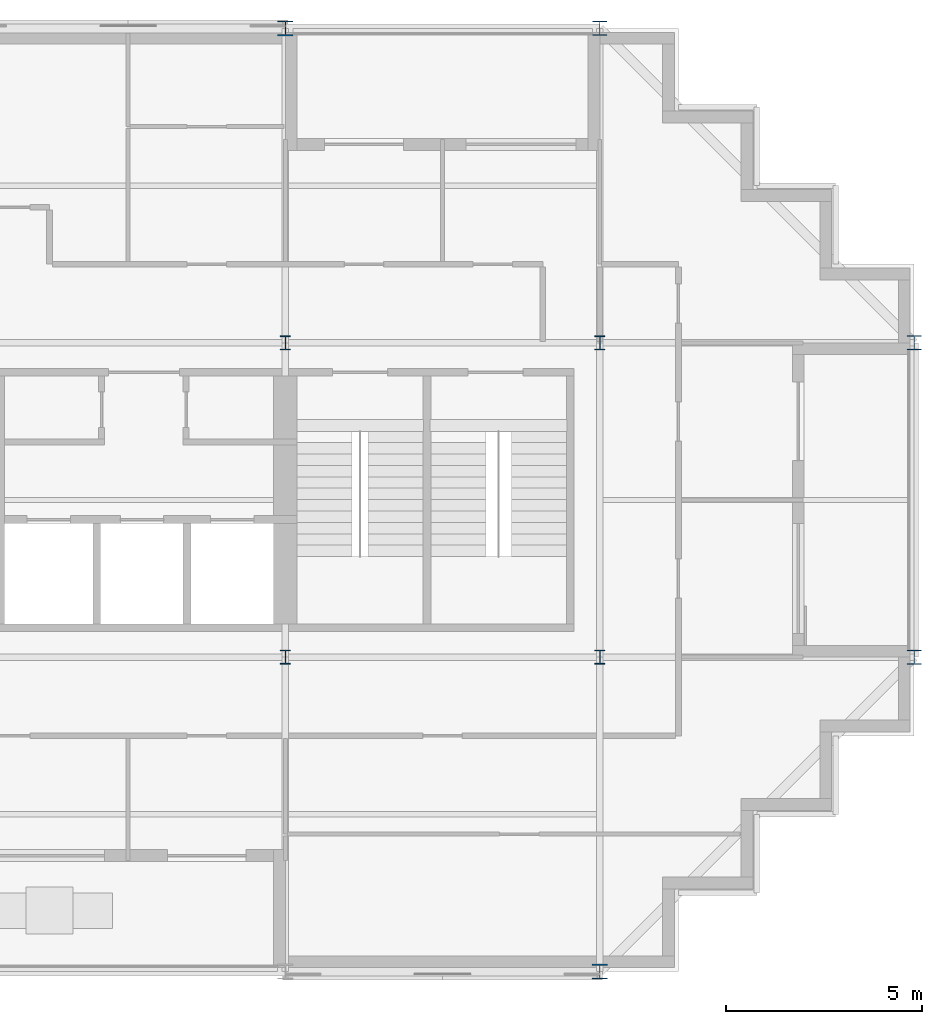
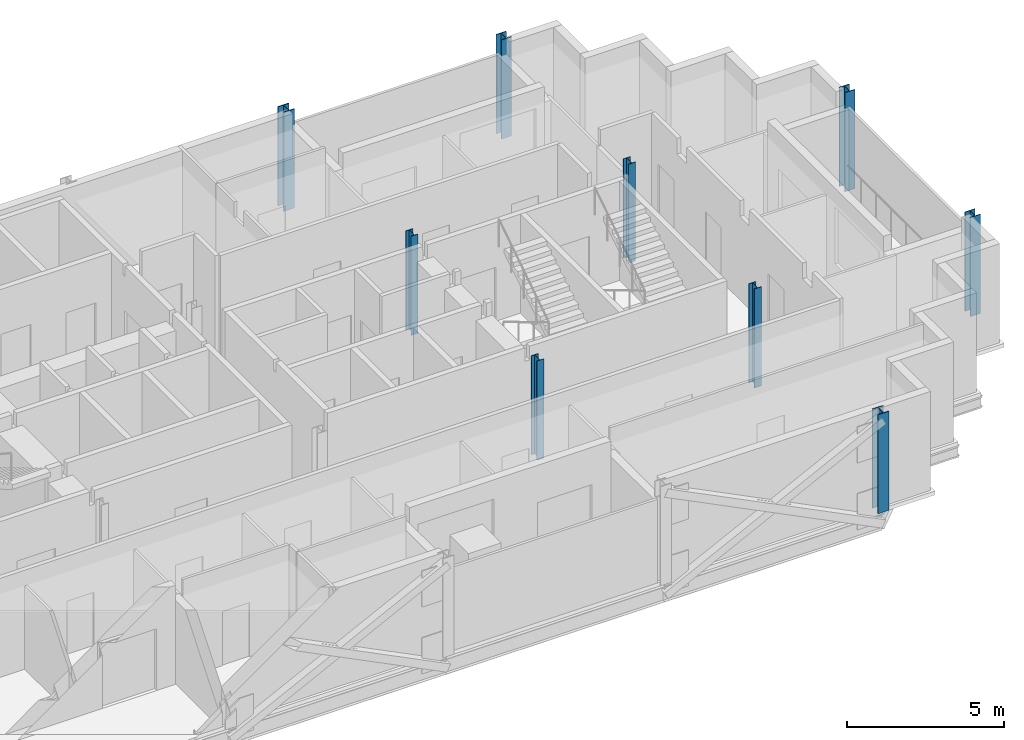
# One storey, part 2 of 10: 9 columns.
"""IFC4 building model written with IfcOpenShell, lengths in metres."""

from ifc_helpers import new_model, si_unit, direction, frame, origin, origin_2d, place, context, subcontext, project, spatial, i_section, extrude, material, material_profile, profile_set, type_object, element, save


model = new_model("IFC4")

# Units and contexts
model_context = context("Model", 3, precision=1e-05, world=origin(), true_north=direction((0.0, 1.0)))
body_context = subcontext(model_context, "Body", "Model", "MODEL_VIEW")
ifc_project = project(units=[si_unit("LENGTHUNIT", "METRE"), si_unit("AREAUNIT", "SQUARE_METRE"), si_unit("VOLUMEUNIT", "CUBIC_METRE"), si_unit("PLANEANGLEUNIT", "RADIAN"), si_unit("MASSUNIT", "GRAM", prefix="KILO")], contexts=[model_context])

# Site, building, storey
site_placement = place(None, origin())
site = spatial("IfcSite", under=ifc_project, at=site_placement, CompositionType="ELEMENT")
building_placement = place(site_placement, origin())
building = spatial("IfcBuilding", under=site, at=building_placement, Name="Immortelle Media Tower", CompositionType="ELEMENT")
storey_placement = place(building_placement, frame((0.0, 0.0, 275.0)))
storey = spatial("IfcBuildingStorey", under=building, at=storey_placement, Name="L60", CompositionType="ELEMENT", Elevation=275.0)

# Columns
ifc_material = material(Name="Steel ASTM A992 Gr 50", Category="steel")
ifc_material_profile_1 = material_profile(ifc_material, i_section(OverallWidth=0.373046875, OverallDepth=0.367919921875, WebThickness=0.014892578125, FlangeThickness=0.02392578125, at=origin_2d()), Name="W14x120")
ifc_profile_set_1 = profile_set([ifc_material_profile_1], Name="Steel ASTM A992 Gr 50")
column_type_1 = type_object("IfcColumnType", Name="W14x120 column", PredefinedType="COLUMN", material=ifc_profile_set_1)
for number, where, z_axis, x_axis, name in (
    (1, (40.0, 24.0, 0.0), (0.0, 0.0, 1.0), (1.0, 0.0, 0.0), "Column 6/D"),
    (2, (48.0, 8.0, 0.0), (0.0, 0.0, 1.0), (1.0, 0.0, 0.0), "Column 7/B"),
    (3, (48.0, 16.0, 0.0), (0.0, 0.0, 1.0), (1.0, 0.0, 0.0), "Column 7/C"),
):
    element("IfcColumn", number, at=place(storey_placement, frame(where, z_axis=z_axis, x_axis=x_axis)), inside=storey, type_object=column_type_1, Name=name, PredefinedType="COLUMN", context=body_context, shape_type="SweptSolid", body=[
        extrude(i_section(OverallWidth=0.373046875, OverallDepth=0.367919921875, WebThickness=0.014892578125, FlangeThickness=0.02392578125, at=origin_2d()), origin(), (0.0, 0.0, 1.0), 3.85009765625),
    ])
ifc_material_profile_2 = material_profile(ifc_material, i_section(OverallWidth=0.39892578125, OverallDepth=0.385986328125, WebThickness=0.02099609375, FlangeThickness=0.032958984375, at=origin_2d()), Name="W14x176")
ifc_profile_set_2 = profile_set([ifc_material_profile_2], Name="Steel ASTM A992 Gr 50")
column_type_2 = type_object("IfcColumnType", Name="W14x176 column", PredefinedType="COLUMN", material=ifc_profile_set_2)
for number, where, z_axis, x_axis, name in (
    (4, (32.0, 24.0, 0.0), (0.0, 0.0, 1.0), (1.0, 0.0, 0.0), "Column 5/D"),
    (5, (40.0, 0.0, 0.0), (0.0, 0.0, 1.0), (1.0, 0.0, 0.0), "Column 6/A"),
):
    element("IfcColumn", number, at=place(storey_placement, frame(where, z_axis=z_axis, x_axis=x_axis)), inside=storey, type_object=column_type_2, Name=name, PredefinedType="COLUMN", context=body_context, shape_type="SweptSolid", body=[
        extrude(i_section(OverallWidth=0.39892578125, OverallDepth=0.385986328125, WebThickness=0.02099609375, FlangeThickness=0.032958984375, at=origin_2d()), origin(), (0.0, 0.0, 1.0), 3.85009765625),
    ])
ifc_material_profile_3 = material_profile(ifc_material, i_section(OverallWidth=0.257080078125, OverallDepth=0.363037109375, WebThickness=0.012939453125, FlangeThickness=0.02197265625, at=origin_2d()), Name="W14x82")
ifc_profile_set_3 = profile_set([ifc_material_profile_3], Name="Steel ASTM A992 Gr 50")
column_type_3 = type_object("IfcColumnType", Name="W14x82 column", PredefinedType="COLUMN", material=ifc_profile_set_3)
for number, where, z_axis, x_axis, name in (
    (6, (32.0, 8.0, 0.0), (0.0, 0.0, 1.0), (1.0, 0.0, 0.0), "Column 5/B"),
    (7, (32.0, 16.0, 0.0), (0.0, 0.0, 1.0), (1.0, 0.0, 0.0), "Column 5/C"),
    (8, (40.0, 8.0, 0.0), (0.0, 0.0, 1.0), (1.0, 0.0, 0.0), "Column 6/B"),
    (9, (40.0, 16.0, 0.0), (0.0, 0.0, 1.0), (1.0, 0.0, 0.0), "Column 6/C"),
):
    element("IfcColumn", number, at=place(storey_placement, frame(where, z_axis=z_axis, x_axis=x_axis)), inside=storey, type_object=column_type_3, Name=name, PredefinedType="COLUMN", context=body_context, shape_type="SweptSolid", body=[
        extrude(i_section(OverallWidth=0.257080078125, OverallDepth=0.363037109375, WebThickness=0.012939453125, FlangeThickness=0.02197265625, at=origin_2d()), origin(), (0.0, 0.0, 1.0), 3.85009765625),
    ])

save(model, "model.ifc")
